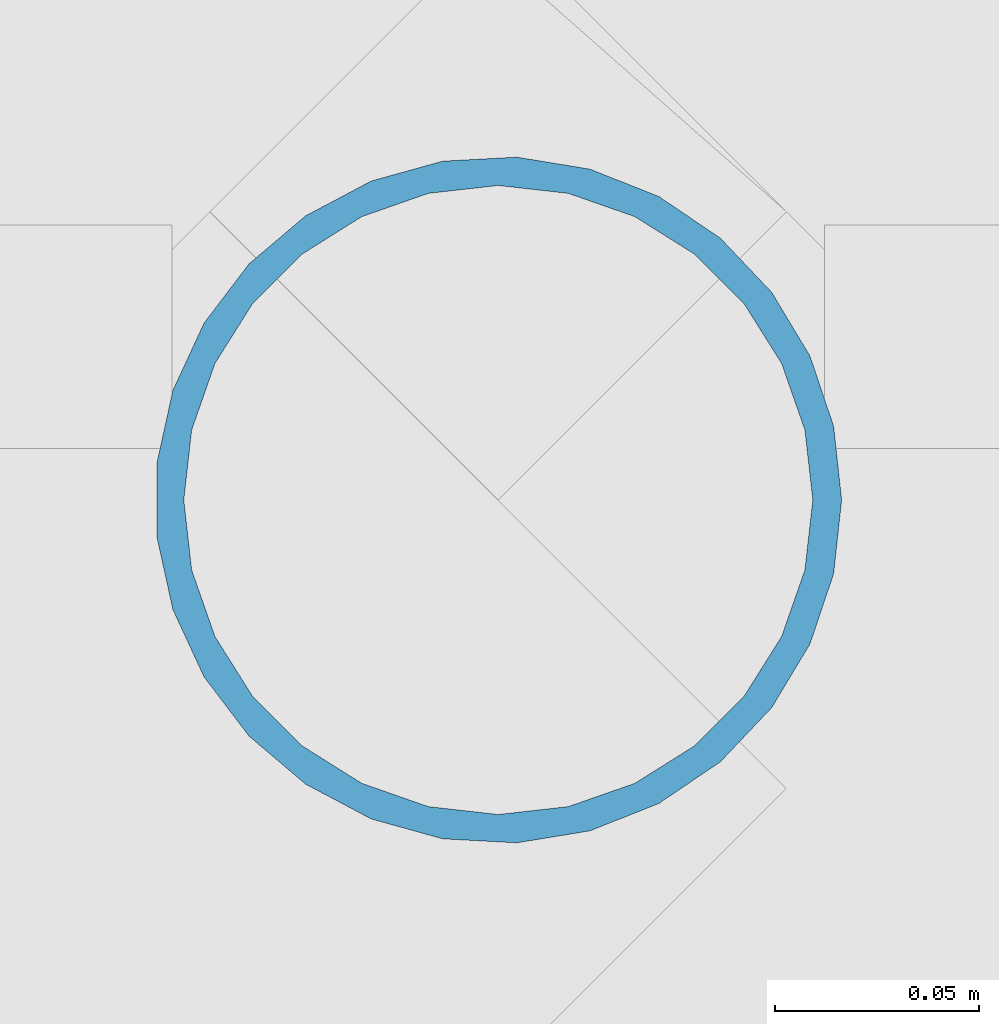
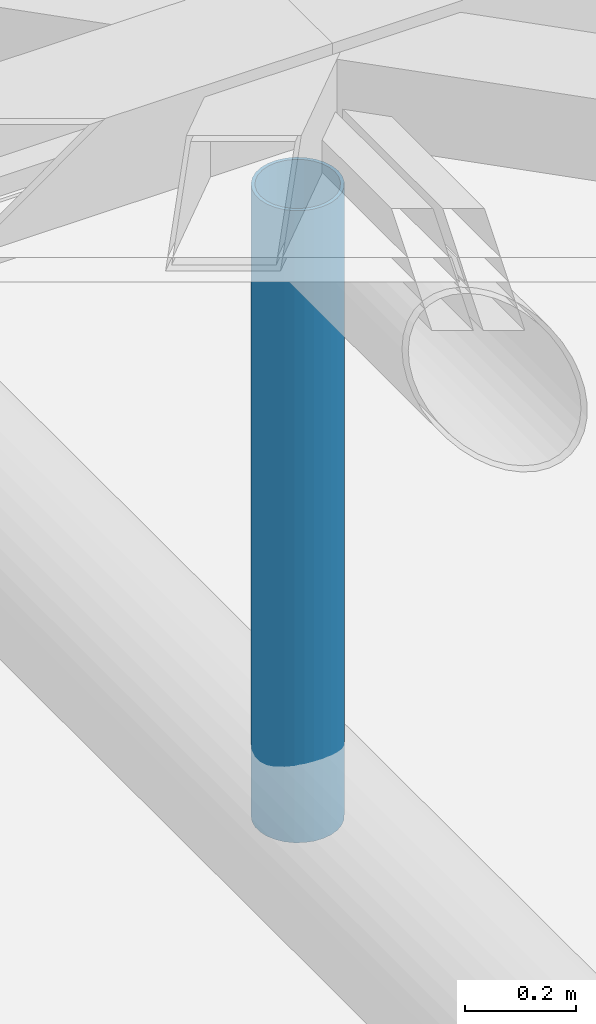
# One storey, part 44 of 80: 1 member.
"""IFC4 building model written with IfcOpenShell, lengths in metres."""

from ifc_helpers import new_model, si_unit, direction, frame, origin, origin_2d, place, context, subcontext, project, spatial, hollow_circle, extrude, material, material_profile, profile_set, type_object, element, save


model = new_model("IFC4")

# Units and contexts
model_context = context("Model", 3, precision=1e-05, world=origin(), true_north=direction((0.0, 1.0)))
body_context = subcontext(model_context, "Body", "Model", "MODEL_VIEW")
ifc_project = project(units=[si_unit("LENGTHUNIT", "METRE"), si_unit("AREAUNIT", "SQUARE_METRE"), si_unit("VOLUMEUNIT", "CUBIC_METRE"), si_unit("PLANEANGLEUNIT", "RADIAN"), si_unit("MASSUNIT", "GRAM", prefix="KILO"), si_unit("THERMODYNAMICTEMPERATUREUNIT", "KELVIN"), si_unit("POWERUNIT", "WATT")], contexts=[model_context])

# Site, building, storey
site_placement = place(None, origin())
site = spatial("IfcSite", under=ifc_project, at=site_placement, CompositionType="ELEMENT")
building_placement = place(site_placement, origin())
building = spatial("IfcBuilding", under=site, at=building_placement, Name="Tallowbark Science Centre", CompositionType="ELEMENT")
storey_placement = place(building_placement, frame((0.0, 0.0, 25.949951171875)))
storey = spatial("IfcBuildingStorey", under=building, at=storey_placement, Name="ROOF", CompositionType="ELEMENT", Elevation=25.949951171875)

# Member
ifc_material = material(Name="White Architectural Painted Steel Grade C350L0 (350 MPa)", Category="steel")
ifc_material_profile = material_profile(ifc_material, hollow_circle(Radius=0.084228515625, WallThickness=0.007080078125, at=origin_2d()), Name="168.3x7.1CHS")
ifc_profile_set = profile_set([ifc_material_profile], Name="White Architectural Painted Steel Grade C350L0 (350 MPa)")
member_type = type_object("IfcMemberType", Name="TR-WEB168", PredefinedType="BRACE", material=ifc_profile_set)
member_placement = place(storey_placement, frame((94.5, 22.5, -1.199951171875), z_axis=(0.0, 0.0, 1.0), x_axis=(1.0, 0.0, 0.0)))
element("IfcMember", 1, at=member_placement, inside=storey, type_object=member_type, Name="Exhibition Roof Truss Web 9-22.5", PredefinedType="BRACE", context=body_context, shape_type="SweptSolid", body=[
    extrude(hollow_circle(Radius=0.084228515625, WallThickness=0.007080078125, at=origin_2d()), origin(), (0.0, 0.0, 1.0), 1.389892578125),
])

save(model, "model.ifc")
